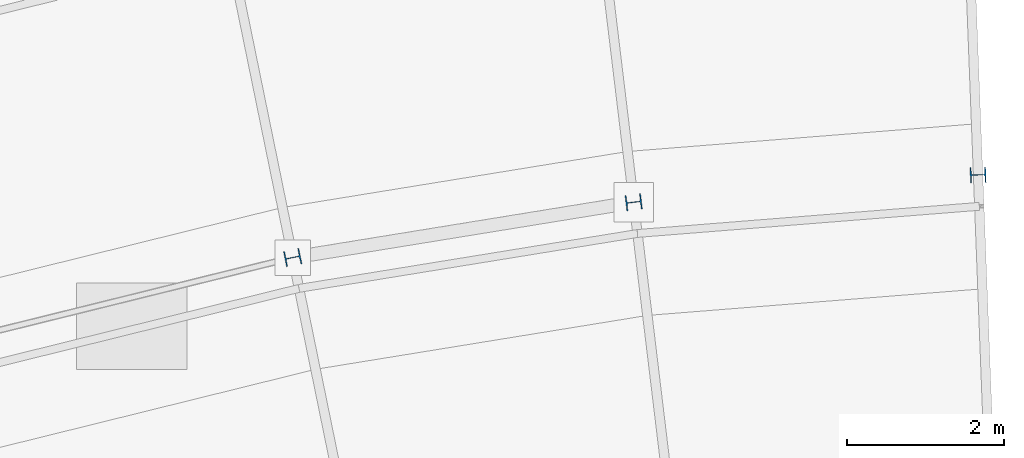
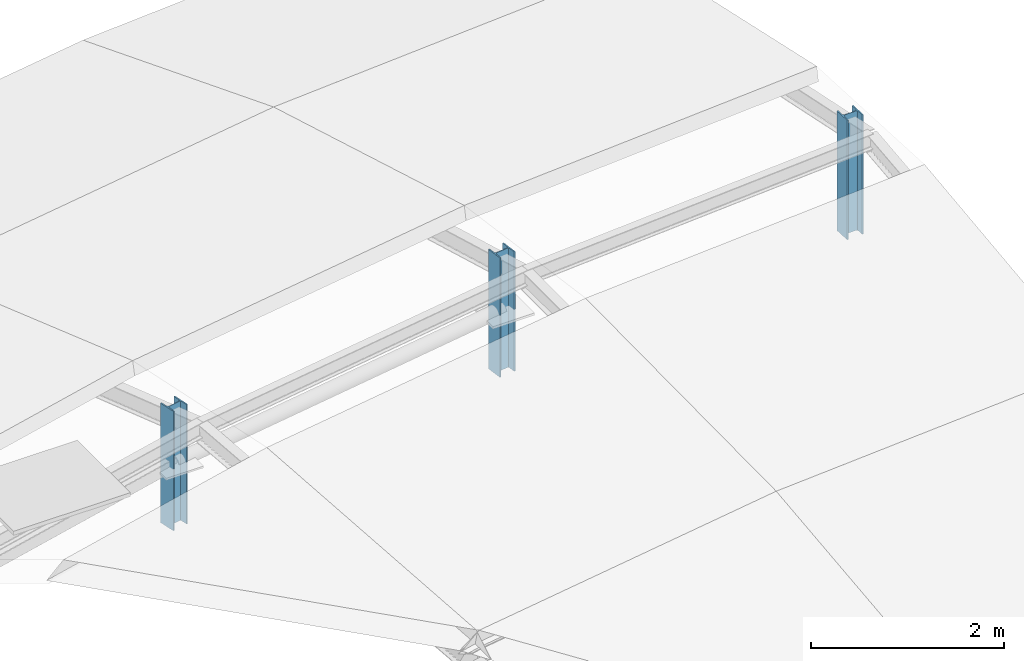
# One storey, part 2 of 8: 3 columns.
"""IFC4 building model written with IfcOpenShell, lengths in metres."""

from ifc_helpers import new_model, si_unit, direction, frame, origin, origin_2d, place, context, subcontext, project, spatial, i_section, extrude, material, material_profile, profile_set, type_object, element, save


model = new_model("IFC4")

# Units and contexts
model_context = context("Model", 3, precision=1e-05, world=origin(), true_north=direction((0.0, 1.0)))
body_context = subcontext(model_context, "Body", "Model", "MODEL_VIEW")
ifc_project = project(units=[si_unit("LENGTHUNIT", "METRE"), si_unit("AREAUNIT", "SQUARE_METRE"), si_unit("VOLUMEUNIT", "CUBIC_METRE"), si_unit("PLANEANGLEUNIT", "RADIAN"), si_unit("MASSUNIT", "GRAM", prefix="KILO")], contexts=[model_context])

# Site, building, storey
site_placement = place(None, origin())
site = spatial("IfcSite", under=ifc_project, at=site_placement, CompositionType="ELEMENT")
building_placement = place(site_placement, origin())
building = spatial("IfcBuilding", under=site, at=building_placement, Name="Zimvara Arc Housing Community", CompositionType="ELEMENT")
storey_placement = place(building_placement, frame((0.0, 0.0, 45.300048828125)))
storey = spatial("IfcBuildingStorey", under=building, at=storey_placement, Name="RF", CompositionType="ELEMENT", Elevation=45.300048828125)

# Columns
ifc_material = material(Name="Steel S355", Category="steel")
ifc_material_profile = material_profile(ifc_material, i_section(OverallWidth=0.199951171875, OverallDepth=0.199951171875, WebThickness=0.009033203125, FlangeThickness=0.014892578125, FilletRadius=0.01806640625, at=origin_2d()), Name="HEB 200")
ifc_profile_set = profile_set([ifc_material_profile], Name="Steel S355")
column_type = type_object("IfcColumnType", Name="COL-ST-HEB200", PredefinedType="COLUMN", material=ifc_profile_set)
for number, where, z_axis, x_axis, name in (
    (1, (34.21875, 97.208740234375, 0.0), (0.0, 0.0, 1.0), (-0.200393999665, 0.979715389742, 0.0), "col:blkA:RF:ribpost2:g8"),
    (2, (38.55517578125, 97.91259765625, 0.0), (0.0, 0.0, 1.0), (-0.119790293837, 0.992799217114, 0.0), "col:blkA:RF:ribpost2:g9"),
    (3, (42.934814453125, 98.26025390625, 0.0), (0.0, 0.0, 1.0), (-0.038387809088, 0.999262916411, 0.0), "col:blkA:RF:ribpost2:g10"),
):
    element("IfcColumn", number, at=place(storey_placement, frame(where, z_axis=z_axis, x_axis=x_axis)), inside=storey, type_object=column_type, Name=name, PredefinedType="COLUMN", context=body_context, shape_type="SweptSolid", body=[
        extrude(i_section(OverallWidth=0.199951171875, OverallDepth=0.199951171875, WebThickness=0.009033203125, FlangeThickness=0.014892578125, FilletRadius=0.01806640625, at=origin_2d()), origin(), (0.0, 0.0, 1.0), 1.514892578125),
    ])

save(model, "model.ifc")
